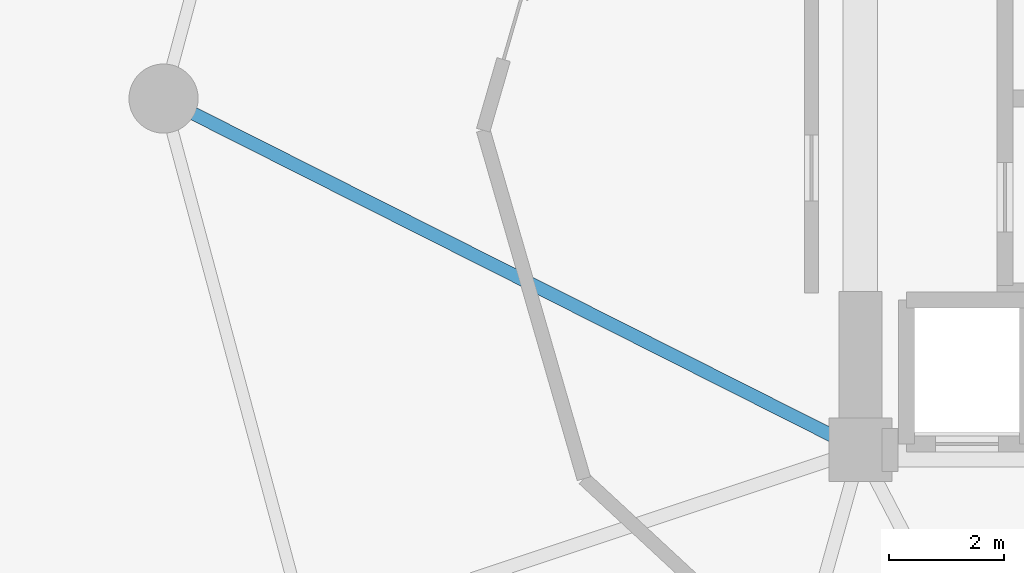
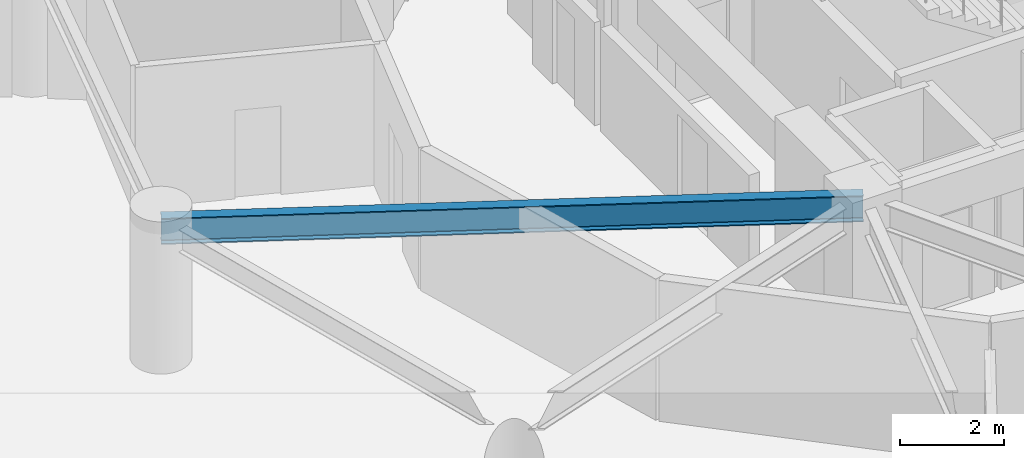
# One storey, part 7 of 22: 1 beam.
"""IFC4 building model written with IfcOpenShell, lengths in metres."""

from ifc_helpers import new_model, si_unit, direction, frame, origin, origin_2d, place, context, subcontext, project, spatial, i_section, extrude, material, material_profile, profile_set, type_object, element, save


model = new_model("IFC4")

# Units and contexts
model_context = context("Model", 3, precision=1e-05, world=origin(), true_north=direction((0.0, 1.0)))
body_context = subcontext(model_context, "Body", "Model", "MODEL_VIEW")
ifc_project = project(units=[si_unit("LENGTHUNIT", "METRE"), si_unit("AREAUNIT", "SQUARE_METRE"), si_unit("VOLUMEUNIT", "CUBIC_METRE"), si_unit("PLANEANGLEUNIT", "RADIAN"), si_unit("MASSUNIT", "GRAM", prefix="KILO")], contexts=[model_context])

# Site, building, storey
site_placement = place(None, origin())
site = spatial("IfcSite", under=ifc_project, at=site_placement, CompositionType="ELEMENT")
building_placement = place(site_placement, origin())
building = spatial("IfcBuilding", under=site, at=building_placement, Name="Solvirekh Grand Hotel", CompositionType="ELEMENT")
storey_placement = place(building_placement, frame((0.0, 0.0, 53.60009765625)))
storey = spatial("IfcBuildingStorey", under=building, at=storey_placement, Name="L12", CompositionType="ELEMENT", Elevation=53.60009765625)

# Beam
ifc_material = material(Name="Steel S355", Category="steel")
ifc_material_profile = material_profile(ifc_material, i_section(OverallWidth=0.22998046875, OverallDepth=0.615966796875, WebThickness=0.013916015625, FlangeThickness=0.02392578125, FilletRadius=0.014892578125, at=origin_2d()), Name="W610X174")
ifc_profile_set = profile_set([ifc_material_profile], Name="Steel S355")
beam_type = type_object("IfcBeamType", Name="Beam_Primary_W610H", PredefinedType="BEAM", material=ifc_profile_set)
beam_placement = place(storey_placement, frame((-6.5, -6.10009765625, 3.031982421875), z_axis=(-0.892944939011, 0.450165898191, 0.0), x_axis=(-0.450165898191, -0.892944939011, 0.0)))
element("IfcBeam", 1, at=beam_placement, inside=storey, type_object=beam_type, Name="L12 radial floor beam R07", PredefinedType="BEAM", context=body_context, shape_type="SweptSolid", body=[
    extrude(i_section(OverallWidth=0.22998046875, OverallDepth=0.615966796875, WebThickness=0.013916015625, FlangeThickness=0.02392578125, FilletRadius=0.014892578125, at=origin_2d()), origin(), (0.0, 0.0, 1.0), 13.55078125),
])

save(model, "model.ifc")
